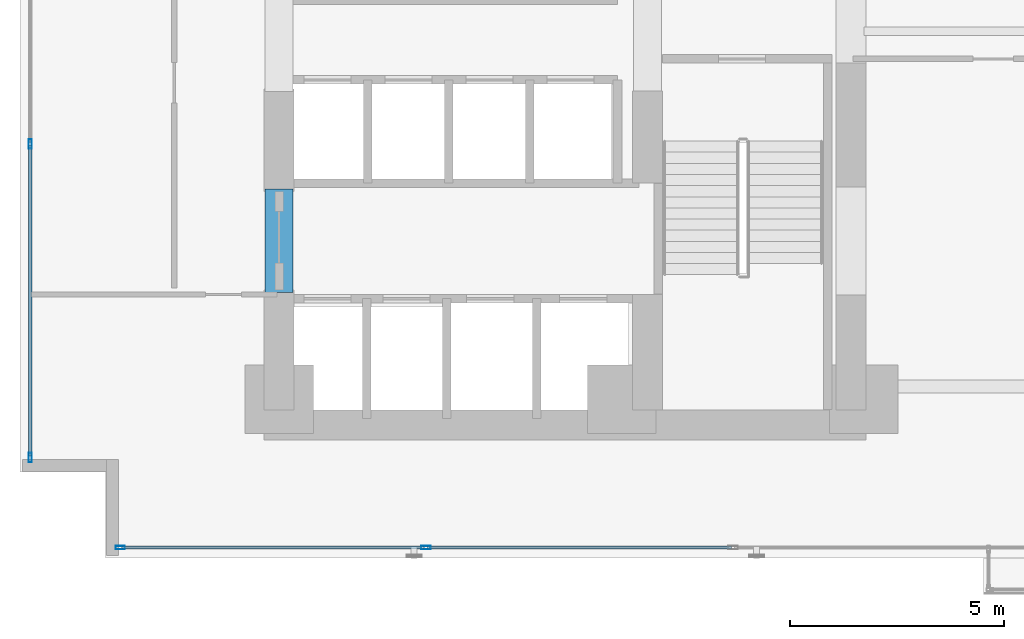
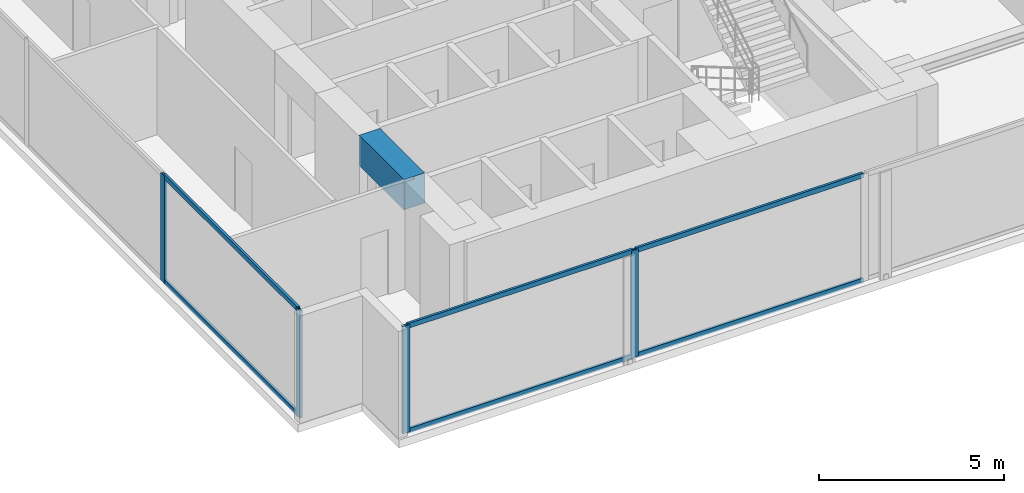
# One storey, part 2 of 28: 10 members, 1 beam, 2 elements without a shape of their own.
"""IFC4 building model written with IfcOpenShell, lengths in metres."""

from ifc_helpers import new_model, si_unit, direction, frame, origin, origin_with_axes, origin_2d, place, context, subcontext, project, spatial, rectangle, hollow_rectangle, extrude, source, transform, mapped, material, layer, layer_set, material_profile, profile_set, type_object, element, aggregate, save


model = new_model("IFC4")

# Units and contexts
model_context = context("Model", 3, precision=1e-05, world=origin(), true_north=direction((0.0, 1.0)))
body_context = subcontext(model_context, "Body", "Model", "MODEL_VIEW")
ifc_project = project(units=[si_unit("LENGTHUNIT", "METRE"), si_unit("AREAUNIT", "SQUARE_METRE"), si_unit("VOLUMEUNIT", "CUBIC_METRE"), si_unit("PLANEANGLEUNIT", "RADIAN"), si_unit("MASSUNIT", "GRAM", prefix="KILO")], contexts=[model_context])

# Site, building, storey
site_placement = place(None, origin())
site = spatial("IfcSite", under=ifc_project, at=site_placement, CompositionType="ELEMENT")
building_placement = place(site_placement, origin())
building = spatial("IfcBuilding", under=site, at=building_placement, Name="Kolvaren Waterfront Exchange", CompositionType="ELEMENT")
storey_placement = place(building_placement, frame((0.0, 0.0, 75.199951171875)))
storey = spatial("IfcBuildingStorey", under=building, at=storey_placement, Name="L19", CompositionType="ELEMENT", Elevation=75.199951171875)

# Beam
ifc_material_1 = material(Name="Concrete C60/75", Category="concrete")
ifc_material_profile_1 = material_profile(ifc_material_1, rectangle(XDim=0.64990234375, YDim=1.0, at=origin_2d()), Name="RC-CB-1000x650")
ifc_profile_set_1 = profile_set([ifc_material_profile_1], Name="Concrete C60/75")
beam_type = type_object("IfcBeamType", Name="STR-CB-1000", PredefinedType="SPANDREL", material=ifc_profile_set_1)
beam_placement = place(storey_placement, frame((7.449951171875, 7.389892578125, 3.0400390625), z_axis=(0.0, 1.0, 0.0), x_axis=(-1.0, 0.0, 0.0)))
element("IfcBeam", 1, at=beam_placement, inside=storey, type_object=beam_type, Name="L19 core coupling beam 3", PredefinedType="SPANDREL", context=body_context, shape_type="SweptSolid", body=[
    extrude(rectangle(XDim=0.64990234375, YDim=1.0, at=origin_2d()), origin(), (0.0, 0.0, 1.0), 2.420166015625),
])

# Curtain wall, members
ifc_material_2 = material(Name="Anodised bronze aluminium 6063-T6", Category="aluminium")
ifc_layer_1 = layer(ifc_material_2, 0.219970703125, Name="Anodised bronze aluminium 6063-T6")
ifc_layer_set_1 = layer_set([ifc_layer_1], Name="Anodised bronze aluminium 6063-T6")
curtain_wall_type_1 = type_object("IfcCurtainWallType", Name="ARC-CW-SYS1", PredefinedType="USERDEFINED", material=ifc_layer_set_1)
curtain_wall_1_placement = place(storey_placement, origin())
curtain_wall_1 = element("IfcCurtainWall", 2, at=curtain_wall_1_placement, inside=storey, type_object=curtain_wall_type_1, Name="L19 stick curtain wall CW1 (CW-L19-S)", ObjectType="STICK CURTAIN WALL", PredefinedType="USERDEFINED")
ifc_material_3 = material(Name="Anodised aluminium 6063-T6", Category="aluminium")
ifc_material_profile_2 = material_profile(ifc_material_3, hollow_rectangle(XDim=0.074951171875, YDim=0.159912109375, WallThickness=0.00439453125, at=origin_2d()), Name="ALU-TRN-160x75x4.5")
ifc_profile_set_2 = profile_set([ifc_material_profile_2], Name="Anodised aluminium 6063-T6")
member_type_1 = type_object("IfcMemberType", Name="ARC-CWT-160", PredefinedType="USERDEFINED", material=ifc_profile_set_2)
shared_shape_1 = source(origin_with_axes(), body_context, "Body", "SweptSolid", [
    extrude(hollow_rectangle(XDim=0.074951171875, YDim=0.159912109375, WallThickness=0.00439453125, at=origin_2d()), origin(), (0.0, 0.0, 1.0), 7.054931640625),
])
member_1_placement = place(storey_placement, frame((3.780029296875, 1.43994140625, 0.03759765625), z_axis=(1.0, 0.0, 0.0), x_axis=(0.0, 1.0, 0.0)))
member_1 = element("IfcMember", 3, at=member_1_placement, type_object=member_type_1, Name="CW1 transom 1.1", ObjectType="TRANSOM", PredefinedType="USERDEFINED", context=body_context, shape_type="MappedRepresentation", body=[
    mapped(shared_shape_1, transform((0.0, 0.0, 0.0), x_axis=(1.0, 0.0, 0.0), y_axis=(0.0, 1.0, 0.0), z_axis=(0.0, 0.0, 1.0), scale=1.0)),
])
member_2_placement = place(storey_placement, frame((3.780029296875, 1.43994140625, 3.50244140625), z_axis=(1.0, 0.0, 0.0), x_axis=(0.0, 1.0, 0.0)))
member_2 = element("IfcMember", 4, at=member_2_placement, type_object=member_type_1, Name="CW1 transom 1.2", ObjectType="TRANSOM", PredefinedType="USERDEFINED", context=body_context, shape_type="MappedRepresentation", body=[
    mapped(shared_shape_1, transform((0.0, 0.0, 0.0), x_axis=(1.0, 0.0, 0.0), y_axis=(0.0, 1.0, 0.0), z_axis=(0.0, 0.0, 1.0), scale=1.0)),
])
shared_shape_2 = source(origin_with_axes(), body_context, "Body", "SweptSolid", [
    extrude(hollow_rectangle(XDim=0.074951171875, YDim=0.159912109375, WallThickness=0.00439453125, at=origin_2d()), origin(), (0.0, 0.0, 1.0), 7.094970703125),
])
member_3_placement = place(storey_placement, frame((10.9150390625, 1.43994140625, 0.03759765625), z_axis=(1.0, 0.0, 0.0), x_axis=(0.0, 1.0, 0.0)))
member_3 = element("IfcMember", 5, at=member_3_placement, type_object=member_type_1, Name="CW1 transom 2.1", ObjectType="TRANSOM", PredefinedType="USERDEFINED", context=body_context, shape_type="MappedRepresentation", body=[
    mapped(shared_shape_2, transform((0.0, 0.0, 0.0), x_axis=(1.0, 0.0, 0.0), y_axis=(0.0, 1.0, 0.0), z_axis=(0.0, 0.0, 1.0), scale=1.0)),
])
member_4_placement = place(storey_placement, frame((10.9150390625, 1.43994140625, 3.50244140625), z_axis=(1.0, 0.0, 0.0), x_axis=(0.0, 1.0, 0.0)))
member_4 = element("IfcMember", 6, at=member_4_placement, type_object=member_type_1, Name="CW1 transom 2.2", ObjectType="TRANSOM", PredefinedType="USERDEFINED", context=body_context, shape_type="MappedRepresentation", body=[
    mapped(shared_shape_2, transform((0.0, 0.0, 0.0), x_axis=(1.0, 0.0, 0.0), y_axis=(0.0, 1.0, 0.0), z_axis=(0.0, 0.0, 1.0), scale=1.0)),
])

ifc_layer_2 = layer(ifc_material_3, 0.219970703125, Name="Anodised aluminium 6063-T6")
ifc_layer_set_2 = layer_set([ifc_layer_2], Name="Anodised aluminium 6063-T6")
curtain_wall_type_2 = type_object("IfcCurtainWallType", Name="ARC-CW-SYS2", PredefinedType="USERDEFINED", material=ifc_layer_set_2)
curtain_wall_2_placement = place(storey_placement, origin())
curtain_wall_2 = element("IfcCurtainWall", 7, at=curtain_wall_2_placement, inside=storey, type_object=curtain_wall_type_2, Name="L19 stick curtain wall CW2 (CW-L19-W)", ObjectType="STICK CURTAIN WALL", PredefinedType="USERDEFINED")
shared_shape_3 = source(origin_with_axes(), body_context, "Body", "SweptSolid", [
    extrude(hollow_rectangle(XDim=0.074951171875, YDim=0.159912109375, WallThickness=0.00439453125, at=origin_2d()), origin(), (0.0, 0.0, 1.0), 7.24658203125),
])
member_5_placement = place(storey_placement, frame((1.639892578125, 3.580078125, 0.03759765625), z_axis=(0.0, 1.0, 0.0), x_axis=(-1.0, 0.0, 0.0)))
member_5 = element("IfcMember", 8, at=member_5_placement, type_object=member_type_1, Name="CW2 transom 1.1", ObjectType="TRANSOM", PredefinedType="USERDEFINED", context=body_context, shape_type="MappedRepresentation", body=[
    mapped(shared_shape_3, transform((0.0, 0.0, 0.0), x_axis=(1.0, 0.0, 0.0), y_axis=(0.0, 1.0, 0.0), z_axis=(0.0, 0.0, 1.0), scale=1.0)),
])
member_6_placement = place(storey_placement, frame((1.639892578125, 3.580078125, 3.50244140625), z_axis=(0.0, 1.0, 0.0), x_axis=(-1.0, 0.0, 0.0)))
member_6 = element("IfcMember", 9, at=member_6_placement, type_object=member_type_1, Name="CW2 transom 1.2", ObjectType="TRANSOM", PredefinedType="USERDEFINED", context=body_context, shape_type="MappedRepresentation", body=[
    mapped(shared_shape_3, transform((0.0, 0.0, 0.0), x_axis=(1.0, 0.0, 0.0), y_axis=(0.0, 1.0, 0.0), z_axis=(0.0, 0.0, 1.0), scale=1.0)),
])

# Member
ifc_material_profile_3 = material_profile(ifc_material_3, hollow_rectangle(XDim=0.080078125, YDim=0.219970703125, WallThickness=0.0048828125, at=origin_2d()), Name="ALU-MUL-220x80x5")
ifc_profile_set_3 = profile_set([ifc_material_profile_3], Name="Anodised aluminium 6063-T6")
member_type_2 = type_object("IfcMemberType", Name="ARC-CWM-220", PredefinedType="MULLION", material=ifc_profile_set_3)
shared_shape_4 = source(origin_with_axes(), body_context, "Body", "SweptSolid", [
    extrude(hollow_rectangle(XDim=0.080078125, YDim=0.219970703125, WallThickness=0.0048828125, at=origin_2d()), origin(), (0.0, 0.0, 1.0), 3.5400390625),
])
member_7_placement = place(storey_placement, frame((3.739990234375, 1.43994140625, 0.0), z_axis=(0.0, 0.0, 1.0), x_axis=(0.0, 1.0, 0.0)))
member_7 = element("IfcMember", 10, at=member_7_placement, type_object=member_type_2, Name="CW1 mullion 1", PredefinedType="MULLION", context=body_context, shape_type="MappedRepresentation", body=[
    mapped(shared_shape_4, transform((0.0, 0.0, 0.0), x_axis=(1.0, 0.0, 0.0), y_axis=(0.0, 1.0, 0.0), z_axis=(0.0, 0.0, 1.0), scale=1.0)),
])

member_8_placement = place(storey_placement, frame((10.875, 1.43994140625, 0.0), z_axis=(0.0, 0.0, 1.0), x_axis=(0.0, 1.0, 0.0)))
member_8 = element("IfcMember", 11, at=member_8_placement, type_object=member_type_2, Name="CW1 mullion 2", PredefinedType="MULLION", context=body_context, shape_type="MappedRepresentation", body=[
    mapped(shared_shape_4, transform((0.0, 0.0, 0.0), x_axis=(1.0, 0.0, 0.0), y_axis=(0.0, 1.0, 0.0), z_axis=(0.0, 0.0, 1.0), scale=1.0)),
])

aggregate(curtain_wall_1, [member_7, member_8, member_1, member_2, member_3, member_4])

member_9_placement = place(storey_placement, frame((1.639892578125, 3.5400390625, 0.0), z_axis=(0.0, 0.0, 1.0), x_axis=(-1.0, 0.0, 0.0)))
member_9 = element("IfcMember", 12, at=member_9_placement, type_object=member_type_2, Name="CW2 mullion 1", PredefinedType="MULLION", context=body_context, shape_type="MappedRepresentation", body=[
    mapped(shared_shape_4, transform((0.0, 0.0, 0.0), x_axis=(1.0, 0.0, 0.0), y_axis=(0.0, 1.0, 0.0), z_axis=(0.0, 0.0, 1.0), scale=1.0)),
])

member_10_placement = place(storey_placement, frame((1.639892578125, 10.86669921875, 0.0), z_axis=(0.0, 0.0, 1.0), x_axis=(-1.0, 0.0, 0.0)))
member_10 = element("IfcMember", 13, at=member_10_placement, type_object=member_type_2, Name="CW2 mullion 2", PredefinedType="MULLION", context=body_context, shape_type="MappedRepresentation", body=[
    mapped(shared_shape_4, transform((0.0, 0.0, 0.0), x_axis=(1.0, 0.0, 0.0), y_axis=(0.0, 1.0, 0.0), z_axis=(0.0, 0.0, 1.0), scale=1.0)),
])

aggregate(curtain_wall_2, [member_9, member_10, member_5, member_6])

save(model, "model.ifc")
